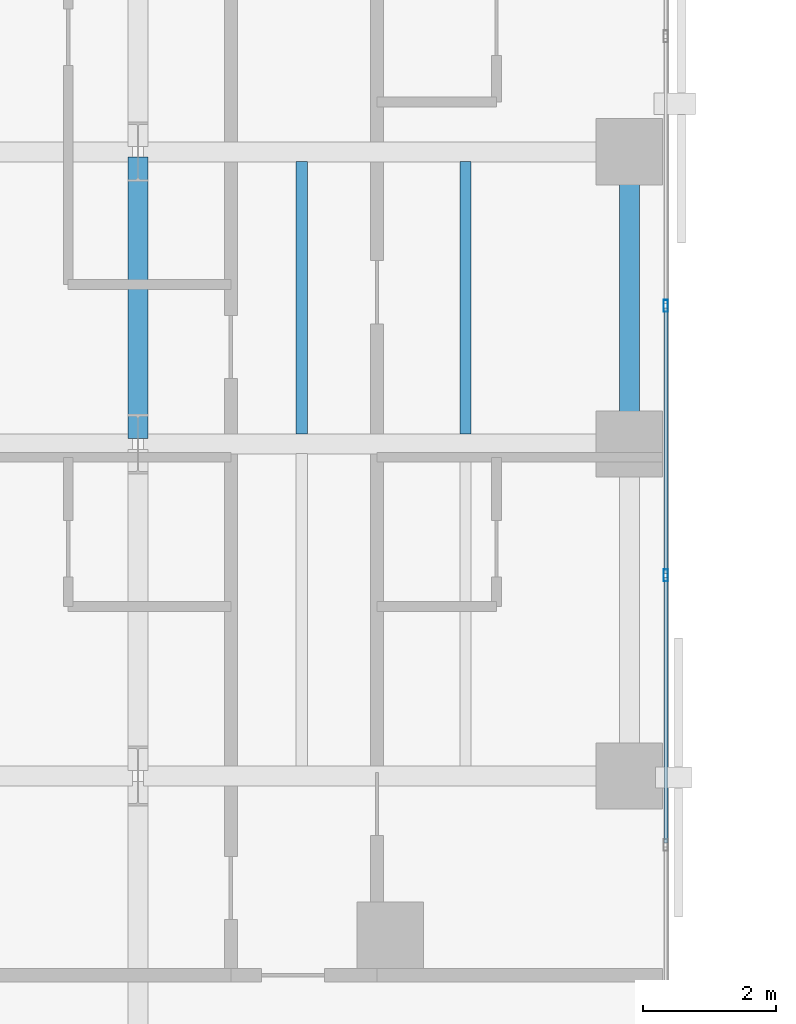
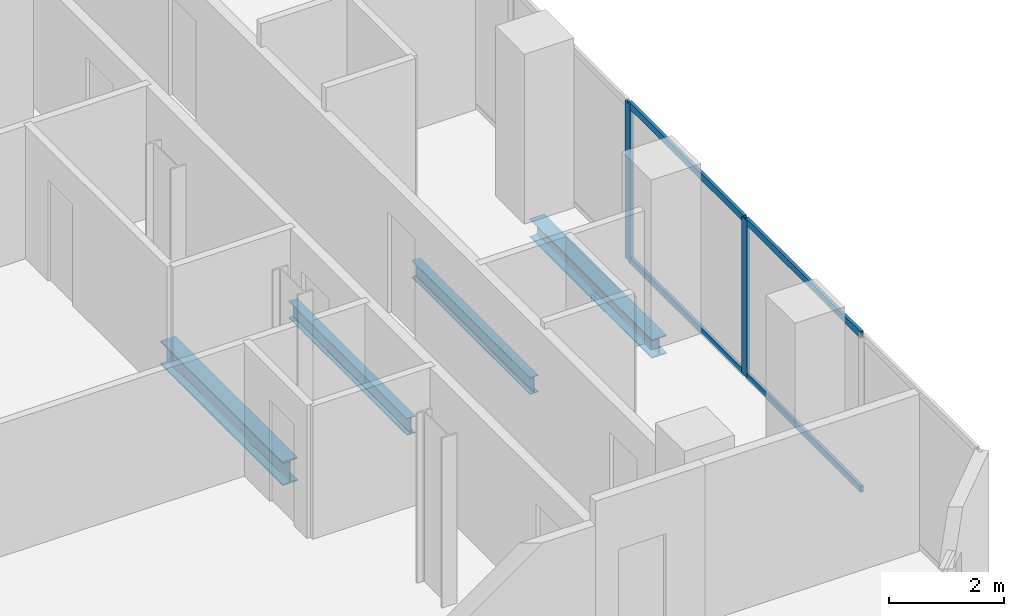
# One storey, part 7 of 31: 6 members, 4 beams, 1 element without a shape of its own.
"""IFC4 building model written with IfcOpenShell, lengths in metres."""

from ifc_helpers import new_model, si_unit, direction, frame, origin, origin_2d, place, context, subcontext, project, spatial, hollow_rectangle, i_section, extrude, material, layer, layer_set, material_profile, profile_set, type_object, element, aggregate, save


model = new_model("IFC4")

# Units and contexts
model_context = context("Model", 3, precision=1e-05, world=origin(), true_north=direction((0.0, 1.0)))
body_context = subcontext(model_context, "Body", "Model", "MODEL_VIEW")
ifc_project = project(units=[si_unit("LENGTHUNIT", "METRE"), si_unit("AREAUNIT", "SQUARE_METRE"), si_unit("VOLUMEUNIT", "CUBIC_METRE"), si_unit("PLANEANGLEUNIT", "RADIAN"), si_unit("MASSUNIT", "GRAM", prefix="KILO")], contexts=[model_context])

# Site, building, storey
site_placement = place(None, origin())
site = spatial("IfcSite", under=ifc_project, at=site_placement, CompositionType="ELEMENT")
building_placement = place(site_placement, origin())
building = spatial("IfcBuilding", under=site, at=building_placement, Name="Catumbela Crestline Tower", CompositionType="ELEMENT")
storey_placement = place(building_placement, frame((0.0, 0.0, 40.2)))
storey = spatial("IfcBuildingStorey", under=building, at=storey_placement, Name="L09", CompositionType="ELEMENT", Elevation=40.2)

# Beams
ifc_material_1 = material(Name="Structural steel S355J2", Category="steel")
ifc_material_profile_1 = material_profile(ifc_material_1, i_section(OverallWidth=0.3, OverallDepth=0.5, WebThickness=0.0145, FlangeThickness=0.028, FilletRadius=0.027, at=origin_2d()), Name="HEB 500")
ifc_profile_set_1 = profile_set([ifc_material_profile_1], Name="Structural steel S355J2")
beam_type_1 = type_object("IfcBeamType", Name="BG-HEB500", PredefinedType="BEAM", material=ifc_profile_set_1)
beam_1_placement = place(storey_placement, frame((16.0, 13.68, -0.51), z_axis=(0.0, 1.0, 0.0), x_axis=(-1.0, 0.0, 0.0)))
element("IfcBeam", 1, at=beam_1_placement, inside=storey, type_object=beam_type_1, Name="L09 Beam BM-L09-WNS66", PredefinedType="BEAM", context=body_context, shape_type="SweptSolid", body=[
    extrude(i_section(OverallWidth=0.3, OverallDepth=0.5, WebThickness=0.0145, FlangeThickness=0.028, FilletRadius=0.027, at=origin_2d()), origin(), (0.0, 0.0, 1.0), 4.24),
])
ifc_material_profile_2 = material_profile(ifc_material_1, i_section(OverallWidth=0.17, OverallDepth=0.36, WebThickness=0.008, FlangeThickness=0.0127, FilletRadius=0.018, at=origin_2d()), Name="IPE 360")
ifc_profile_set_2 = profile_set([ifc_material_profile_2], Name="Structural steel S355J2")
beam_type_2 = type_object("IfcBeamType", Name="BJ-IPE360", PredefinedType="JOIST", material=ifc_profile_set_2)
for number, where, z_axis, x_axis, name in (
    (2, (18.467, 13.747, -0.44), (0.0, 1.0, 0.0), (-1.0, 0.0, 0.0), "L09 Joist JS-L09-WG80"),
    (3, (20.933, 13.747, -0.44), (0.0, 1.0, 0.0), (-1.0, 0.0, 0.0), "L09 Joist JS-L09-WG81"),
):
    element("IfcBeam", number, at=place(storey_placement, frame(where, z_axis=z_axis, x_axis=x_axis)), inside=storey, type_object=beam_type_2, Name=name, PredefinedType="JOIST", context=body_context, shape_type="SweptSolid", body=[
        extrude(i_section(OverallWidth=0.17, OverallDepth=0.36, WebThickness=0.008, FlangeThickness=0.0127, FilletRadius=0.018, at=origin_2d()), origin(), (0.0, 0.0, 1.0), 4.106),
    ])

# Curtain wall, members
ifc_material_2 = material(Name="Aluminium alloy AW-6060-T66", Category="aluminium")
ifc_layer = layer(ifc_material_2, 0.18, Name="Aluminium alloy AW-6060-T66")
ifc_layer_set = layer_set([ifc_layer], Name="Aluminium alloy AW-6060-T66")
curtain_wall_type = type_object("IfcCurtainWallType", Name="CWU-Z1", PredefinedType="USERDEFINED", material=ifc_layer_set)
curtain_wall_placement = place(storey_placement, origin())
curtain_wall = element("IfcCurtainWall", 4, at=curtain_wall_placement, inside=storey, type_object=curtain_wall_type, Name="L09 Unitised Curtain Wall CW-L09-E2S1", ObjectType="UNITISED", PredefinedType="USERDEFINED")
ifc_material_profile_3 = material_profile(ifc_material_2, hollow_rectangle(XDim=0.065, YDim=0.18, WallThickness=0.004, at=origin_2d()), Name="ALU 180x65x4")
ifc_profile_set_3 = profile_set([ifc_material_profile_3], Name="Aluminium alloy AW-6060-T66")
member_type_1 = type_object("IfcMemberType", Name="MUL-180X65", PredefinedType="MULLION", material=ifc_profile_set_3)
member_1_placement = place(storey_placement, frame((23.95, 11.62, 0.0), z_axis=(0.0, 0.0, 1.0), x_axis=(-1.0, 0.0, 0.0)))
member_1 = element("IfcMember", 5, at=member_1_placement, type_object=member_type_1, Name="CWU-Z1 mullion 3", PredefinedType="MULLION", context=body_context, shape_type="SweptSolid", body=[
    extrude(hollow_rectangle(XDim=0.065, YDim=0.18, WallThickness=0.004, at=origin_2d()), origin(), (0.0, 0.0, 1.0), 3.33),
])
member_2_placement = place(storey_placement, frame((23.95, 15.68, 0.0), z_axis=(0.0, 0.0, 1.0), x_axis=(-1.0, 0.0, 0.0)))
member_2 = element("IfcMember", 6, at=member_2_placement, type_object=member_type_1, Name="CWU-Z1 mullion 4", PredefinedType="MULLION", context=body_context, shape_type="SweptSolid", body=[
    extrude(hollow_rectangle(XDim=0.065, YDim=0.18, WallThickness=0.004, at=origin_2d()), origin(), (0.0, 0.0, 1.0), 3.33),
])

# Beam
ifc_material_profile_4 = material_profile(ifc_material_1, i_section(OverallWidth=0.3, OverallDepth=0.39, WebThickness=0.011, FlangeThickness=0.019, FilletRadius=0.027, at=origin_2d()), Name="HEA 400")
ifc_profile_set_4 = profile_set([ifc_material_profile_4], Name="Structural steel S355J2")
beam_type_3 = type_object("IfcBeamType", Name="BS-HEA400", PredefinedType="SPANDREL", material=ifc_profile_set_4)
beam_2_placement = place(storey_placement, frame((23.4, 13.68, -0.455), z_axis=(0.0, 1.0, 0.0), x_axis=(-1.0, 0.0, 0.0)))
element("IfcBeam", 7, at=beam_2_placement, inside=storey, type_object=beam_type_3, Name="L09 Spandrel SP-L09-WNS69", PredefinedType="SPANDREL", context=body_context, shape_type="SweptSolid", body=[
    extrude(i_section(OverallWidth=0.3, OverallDepth=0.39, WebThickness=0.011, FlangeThickness=0.019, FilletRadius=0.027, at=origin_2d()), origin(), (0.0, 0.0, 1.0), 4.24),
])

# Member
ifc_material_profile_5 = material_profile(ifc_material_2, hollow_rectangle(XDim=0.06, YDim=0.14, WallThickness=0.004, at=origin_2d()), Name="ALU 140x60x4")
ifc_profile_set_5 = profile_set([ifc_material_profile_5], Name="Aluminium alloy AW-6060-T66")
member_type_2 = type_object("IfcMemberType", Name="TRN-140X60", PredefinedType="USERDEFINED", material=ifc_profile_set_5)
member_3_placement = place(storey_placement, frame((23.95, 7.5925, 0.03), z_axis=(0.0, 1.0, 0.0), x_axis=(-1.0, 0.0, 0.0)))
member_3 = element("IfcMember", 8, at=member_3_placement, type_object=member_type_2, Name="CWU-Z1 transom 2.1", ObjectType="TRANSOM", PredefinedType="USERDEFINED", context=body_context, shape_type="SweptSolid", body=[
    extrude(hollow_rectangle(XDim=0.06, YDim=0.14, WallThickness=0.004, at=origin_2d()), origin(), (0.0, 0.0, 1.0), 3.995),
])

member_4_placement = place(storey_placement, frame((23.95, 7.5925, 3.3), z_axis=(0.0, 1.0, 0.0), x_axis=(-1.0, 0.0, 0.0)))
member_4 = element("IfcMember", 9, at=member_4_placement, type_object=member_type_2, Name="CWU-Z1 transom 2.2", ObjectType="TRANSOM", PredefinedType="USERDEFINED", context=body_context, shape_type="SweptSolid", body=[
    extrude(hollow_rectangle(XDim=0.06, YDim=0.14, WallThickness=0.004, at=origin_2d()), origin(), (0.0, 0.0, 1.0), 3.995),
])

member_5_placement = place(storey_placement, frame((23.95, 11.6525, 0.03), z_axis=(0.0, 1.0, 0.0), x_axis=(-1.0, 0.0, 0.0)))
member_5 = element("IfcMember", 10, at=member_5_placement, type_object=member_type_2, Name="CWU-Z1 transom 3.1", ObjectType="TRANSOM", PredefinedType="USERDEFINED", context=body_context, shape_type="SweptSolid", body=[
    extrude(hollow_rectangle(XDim=0.06, YDim=0.14, WallThickness=0.004, at=origin_2d()), origin(), (0.0, 0.0, 1.0), 3.995),
])

member_6_placement = place(storey_placement, frame((23.95, 11.6525, 3.3), z_axis=(0.0, 1.0, 0.0), x_axis=(-1.0, 0.0, 0.0)))
member_6 = element("IfcMember", 11, at=member_6_placement, type_object=member_type_2, Name="CWU-Z1 transom 3.2", ObjectType="TRANSOM", PredefinedType="USERDEFINED", context=body_context, shape_type="SweptSolid", body=[
    extrude(hollow_rectangle(XDim=0.06, YDim=0.14, WallThickness=0.004, at=origin_2d()), origin(), (0.0, 0.0, 1.0), 3.995),
])

aggregate(curtain_wall, [member_1, member_2, member_3, member_4, member_5, member_6])

save(model, "model.ifc")
